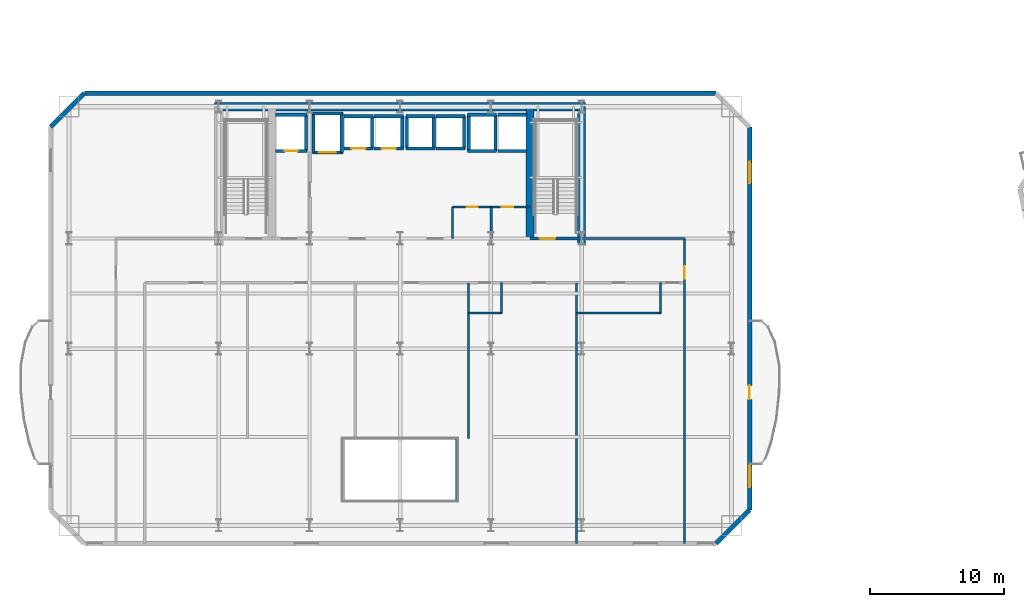
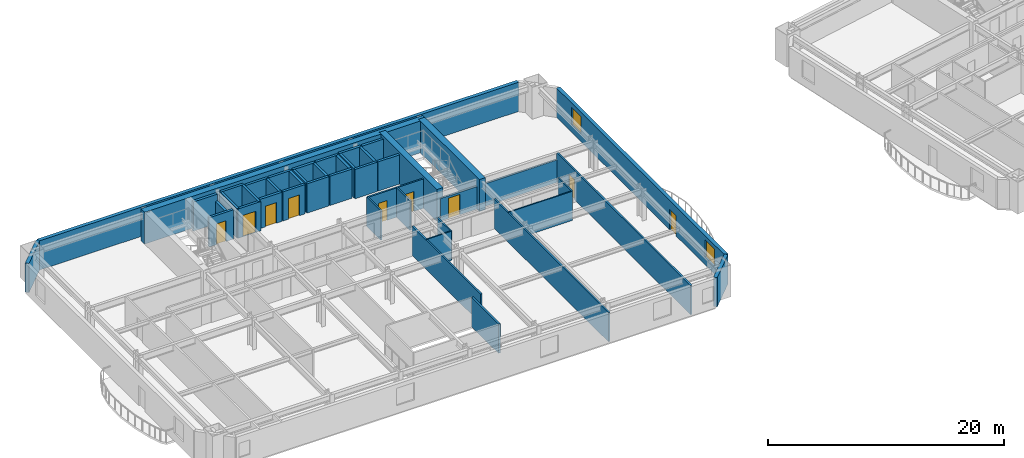
# One storey, part 6 of 16: 46 walls, 9 doors, 2 windows, 11 openings.
"""IFC4 building model written with IfcOpenShell, lengths in metres."""

from ifc_helpers import new_model, si_unit, direction, frame, frame_2d, origin, place, context, subcontext, project, spatial, rectangle, extrude, material, layer, layer_set, type_object, element, fill, save


model = new_model("IFC4")

# Units and contexts
model_context = context("Model", 3, precision=1e-05, world=origin(), true_north=direction((0.0, 1.0)))
body_context = subcontext(model_context, "Body", "Model", "MODEL_VIEW")
ifc_project = project(units=[si_unit("LENGTHUNIT", "METRE"), si_unit("AREAUNIT", "SQUARE_METRE"), si_unit("VOLUMEUNIT", "CUBIC_METRE"), si_unit("PLANEANGLEUNIT", "RADIAN"), si_unit("MASSUNIT", "GRAM", prefix="KILO")], contexts=[model_context])

# Site, building, storey
site_placement = place(None, origin())
site = spatial("IfcSite", under=ifc_project, at=site_placement, CompositionType="ELEMENT")
building_placement = place(site_placement, origin())
building = spatial("IfcBuilding", under=site, at=building_placement, Name="Haevon Station Towers", CompositionType="ELEMENT")
storey_placement = place(building_placement, frame((0.0, 0.0, 53.699951171875)))
storey = spatial("IfcBuildingStorey", under=building, at=storey_placement, Name="L13", CompositionType="ELEMENT", Elevation=53.699951171875)

# Walls
ifc_material_1 = material(Name="Gypsum board on steel stud", Category="steel")
ifc_layer_1 = layer(ifc_material_1, 0.179931640625)
ifc_layer_set_1 = layer_set([ifc_layer_1], Name="Gypsum board on steel stud")
wall_type_1 = type_object("IfcWallType", Name="WL-ACU180", PredefinedType="PARTITIONING", material=ifc_layer_set_1)
wall_1_placement = place(storey_placement, frame((51.0, 38.199951171875, 0.0), z_axis=(0.0, 0.0, 1.0), x_axis=(1.0, 0.0, 0.0)))
element("IfcWall", 1, at=wall_1_placement, inside=storey, type_object=wall_type_1, Name="WL-T1PT-L13-03", PredefinedType="PARTITIONING", context=body_context, shape_type="SweptSolid", body=[
    extrude(rectangle(XDim=7.64990234375, YDim=0.179931640625, at=frame_2d((3.824951171875, 0.0))), origin(), (0.0, 0.0, 1.0), 2.330078125),
])
wall_2_placement = place(storey_placement, frame((41.699951171875, 18.699951171875, 0.0), z_axis=(0.0, 0.0, 1.0), x_axis=(0.0, 1.0, 0.0)))
element("IfcWall", 2, at=wall_2_placement, inside=storey, type_object=wall_type_1, Name="WL-T1PT-L13-09", PredefinedType="PARTITIONING", context=body_context, shape_type="SweptSolid", body=[
    extrude(rectangle(XDim=4.60009765625, YDim=0.179931640625, at=frame_2d((2.300048828125, 0.0))), origin(), (0.0, 0.0, 1.0), 3.030029296875),
])

# Wall, opening, door
ifc_layer_2 = layer(ifc_material_1, 0.199951171875)
ifc_layer_set_2 = layer_set([ifc_layer_2], Name="Gypsum board on steel stud")
wall_type_2 = type_object("IfcWallType", Name="WL-COR200", PredefinedType="PARTITIONING", material=ifc_layer_set_2)
wall_3_placement = place(storey_placement, frame((47.14990234375, 38.199951171875, 0.0), z_axis=(0.0, 0.0, 1.0), x_axis=(1.0, 0.0, 0.0)))
wall_3 = element("IfcWall", 3, at=wall_3_placement, inside=storey, type_object=wall_type_2, Name="WL-ST-ST2-L13", PredefinedType="PARTITIONING", context=body_context, shape_type="SweptSolid", body=[
    extrude(rectangle(XDim=3.85009765625, YDim=0.199951171875, at=frame_2d((1.925048828125, 0.0))), origin(), (0.0, 0.0, 1.0), 2.330078125),
])
opening_1_placement = place(wall_3_placement, frame((0.75, 0.0, 0.0)))
opening_1 = element("IfcOpeningElement", 4, at=opening_1_placement, cuts=wall_3, Name="Opening DR-ST-ST2-L13", PredefinedType="OPENING", context=body_context, shape_type="SweptSolid", body=[
    extrude(rectangle(XDim=1.1201171875, YDim=2.10009765625, at=frame_2d((0.56005859375, 1.050048828125))), frame((0.0, 0.10986328125, 0.0), z_axis=(0.0, -1.0, 0.0), x_axis=(1.0, 0.0, 0.0)), (0.0, 0.0, 1.0), 0.219970703125),
])
ifc_material_2 = material(Name="Engineered oak timber", Category="wood")
door_type_1 = type_object("IfcDoorType", Name="DR-ST-1120", OperationType="NOTDEFINED", PredefinedType="DOOR", material=ifc_material_2)
door_1_placement = place(opening_1_placement, origin())
door_1 = element("IfcDoor", 5, at=door_1_placement, inside=storey, type_object=door_type_1, Name="L13 Escape Stair ST2 Fire Door", OperationType="SINGLE_SWING_LEFT", OverallHeight=2.10009765625, OverallWidth=1.1201171875, PredefinedType="DOOR", context=body_context, shape_type="SweptSolid", body=[
    extrude(rectangle(XDim=1.1201171875, YDim=2.10009765625, at=frame_2d((0.56005859375, 1.050048828125))), frame((0.0, 0.02490234375, 0.0), z_axis=(0.0, -1.0, 0.0), x_axis=(1.0, 0.0, 0.0)), (0.0, 0.0, 1.0), 0.050048828125),
])
fill(opening_1, door_1)

# Walls
ifc_material_3 = material(Name="Concrete C60/75", Category="concrete")
ifc_layer_3 = layer(ifc_material_3, 0.60009765625)
ifc_layer_set_3 = layer_set([ifc_layer_3], Name="Concrete C60/75")
wall_type_3 = type_object("IfcWallType", Name="WL-CR600", PredefinedType="SHEAR", material=ifc_layer_set_3)
wall_4_placement = place(storey_placement, frame((23.699951171875, 48.0, 0.0), z_axis=(0.0, 0.0, 1.0), x_axis=(1.0, 0.0, 0.0)))
element("IfcWall", 6, at=wall_4_placement, inside=storey, type_object=wall_type_3, Name="WL-T1CR-L13-N", PredefinedType="SHEAR", context=body_context, shape_type="SweptSolid", body=[
    extrude(rectangle(XDim=27.60009765625, YDim=0.60009765625, at=frame_2d((13.800048828125, 0.0))), origin(), (0.0, 0.0, 1.0), 3.300048828125),
])
wall_5_placement = place(storey_placement, frame((51.0, 37.679931640625, 0.0), z_axis=(0.0, 0.0, 1.0), x_axis=(0.0, 1.0, 0.0)))
element("IfcWall", 7, at=wall_5_placement, inside=storey, type_object=wall_type_3, Name="WL-T1CR-L13-E", PredefinedType="SHEAR", context=body_context, shape_type="SweptSolid", body=[
    extrude(rectangle(XDim=10.320068359375, YDim=0.60009765625, at=frame_2d((5.16015625, 0.0))), origin(), (0.0, 0.0, 1.0), 3.300048828125),
])
wall_6_placement = place(storey_placement, frame((47.14990234375, 38.199951171875, 0.0), z_axis=(0.0, 0.0, 1.0), x_axis=(0.0, 1.0, 0.0)))
element("IfcWall", 8, at=wall_6_placement, inside=storey, type_object=wall_type_3, Name="WL-T1CR-L13-M2", PredefinedType="SHEAR", context=body_context, shape_type="SweptSolid", body=[
    extrude(rectangle(XDim=9.800048828125, YDim=0.60009765625, at=frame_2d((4.89990234375, 0.0))), origin(), (0.0, 0.0, 1.0), 3.300048828125),
])
ifc_material_4 = material(Name="Precast concrete C45/55", Category="concrete")
ifc_layer_4 = layer(ifc_material_4, 0.340087890625)
ifc_layer_set_4 = layer_set([ifc_layer_4], Name="Precast concrete C45/55")
wall_type_4 = type_object("IfcWallType", Name="WL-EXT-PIER340", PredefinedType="SOLIDWALL", material=ifc_layer_set_4)
wall_7_placement = place(storey_placement, frame((11.5, 46.5, 0.0), z_axis=(0.0, 0.0, 1.0), x_axis=(0.707106781187, 0.707106781187, 0.0)))
element("IfcWall", 9, at=wall_7_placement, inside=storey, type_object=wall_type_4, Name="WL-T1-L13-NWC", PredefinedType="SOLIDWALL", context=body_context, shape_type="SweptSolid", body=[
    extrude(rectangle(XDim=3.53564453125, YDim=0.340087890625, at=frame_2d((1.767822265625, 0.0))), origin(), (0.0, 0.0, 1.0), 3.030029296875),
])
wall_8_placement = place(storey_placement, frame((14.0, 49.0, 0.0), z_axis=(0.0, 0.0, 1.0), x_axis=(1.0, 0.0, 0.0)))
element("IfcWall", 10, at=wall_8_placement, inside=storey, type_object=wall_type_4, Name="WL-T1-L13-N", PredefinedType="SOLIDWALL", context=body_context, shape_type="SweptSolid", body=[
    extrude(rectangle(XDim=47.0, YDim=0.340087890625, at=frame_2d((23.5, 0.0))), origin(), (0.0, 0.0, 1.0), 3.030029296875),
])

# Wall, openings, door, windows
wall_9_placement = place(storey_placement, frame((63.5, 46.5, 0.0), z_axis=(0.0, 0.0, 1.0), x_axis=(0.0, -1.0, 0.0)))
wall_9 = element("IfcWall", 11, at=wall_9_placement, inside=storey, type_object=wall_type_4, Name="WL-T1-L13-E", PredefinedType="SOLIDWALL", context=body_context, shape_type="SweptSolid", body=[
    extrude(rectangle(XDim=28.5, YDim=0.340087890625, at=frame_2d((14.25, 0.0))), origin(), (0.0, 0.0, 1.0), 3.030029296875),
])
opening_2_placement = place(wall_9_placement, frame((19.22509765625, 0.0, 0.0)))
opening_2 = element("IfcOpeningElement", 12, at=opening_2_placement, cuts=wall_9, Name="Opening DR-T1-SCAL-L13-E", PredefinedType="OPENING", context=body_context, shape_type="SweptSolid", body=[
    extrude(rectangle(XDim=1.050048828125, YDim=2.10009765625, at=frame_2d((0.52490234375, 1.050048828125))), frame((0.0, 0.179931640625, 0.0), z_axis=(0.0, -1.0, 0.0), x_axis=(1.0, 0.0, 0.0)), (0.0, 0.0, 1.0), 0.360107421875),
])
opening_3_placement = place(wall_9_placement, frame((2.607177734375, 0.0, 0.800048828125)))
opening_3 = element("IfcOpeningElement", 13, at=opening_3_placement, cuts=wall_9, Name="Opening WN-END160", PredefinedType="OPENING", context=body_context, shape_type="SweptSolid", body=[
    extrude(rectangle(XDim=1.60009765625, YDim=1.800048828125, at=frame_2d((0.800048828125, 0.89990234375))), frame((0.0, 0.179931640625, 0.0), z_axis=(0.0, -1.0, 0.0), x_axis=(1.0, 0.0, 0.0)), (0.0, 0.0, 1.0), 0.360107421875),
])
opening_4_placement = place(wall_9_placement, frame((25.1962890625, 0.0, 0.800048828125)))
opening_4 = element("IfcOpeningElement", 14, at=opening_4_placement, cuts=wall_9, Name="Opening WN-END160", PredefinedType="OPENING", context=body_context, shape_type="SweptSolid", body=[
    extrude(rectangle(XDim=1.60009765625, YDim=1.800048828125, at=frame_2d((0.800048828125, 0.89990234375))), frame((0.0, 0.179931640625, 0.0), z_axis=(0.0, -1.0, 0.0), x_axis=(1.0, 0.0, 0.0)), (0.0, 0.0, 1.0), 0.360107421875),
])
ifc_material_5 = material(Name="Thermally broken anodised aluminium and laminated safety glass", Category="aluminium")
door_type_2 = type_object("IfcDoorType", Name="DR-BALC-1050", OperationType="NOTDEFINED", PredefinedType="DOOR", material=ifc_material_5)
door_2_placement = place(opening_2_placement, origin())
door_2 = element("IfcDoor", 15, at=door_2_placement, inside=storey, type_object=door_type_2, Name="Tower 1 L13 East Scalloped Balcony Door", OperationType="SINGLE_SWING_LEFT", OverallHeight=2.10009765625, OverallWidth=1.050048828125, PredefinedType="DOOR", context=body_context, shape_type="SweptSolid", body=[
    extrude(rectangle(XDim=1.050048828125, YDim=2.10009765625, at=frame_2d((0.52490234375, 1.050048828125))), frame((0.0, 0.02490234375, 0.0), z_axis=(0.0, -1.0, 0.0), x_axis=(1.0, 0.0, 0.0)), (0.0, 0.0, 1.0), 0.050048828125),
])
fill(opening_2, door_2)
ifc_material_6 = material(Name="Low-E triple glazing in thermally broken aluminium", Category="aluminium")
window_type = type_object("IfcWindowType", Name="WN-END160", PartitioningType="SINGLE_PANEL", PredefinedType="WINDOW", material=ifc_material_6)
window_1_placement = place(opening_3_placement, origin())
window_1 = element("IfcWindow", 16, at=window_1_placement, inside=storey, type_object=window_type, Name="WN-T1-L13-E01", OverallHeight=1.800048828125, OverallWidth=1.60009765625, PartitioningType="SINGLE_PANEL", PredefinedType="WINDOW", context=body_context, shape_type="SweptSolid", body=[
    extrude(rectangle(XDim=1.60009765625, YDim=1.800048828125, at=frame_2d((0.800048828125, 0.89990234375))), frame((0.0, 0.030029296875, 0.0), z_axis=(0.0, -1.0, 0.0), x_axis=(1.0, 0.0, 0.0)), (0.0, 0.0, 1.0), 0.06005859375),
])
fill(opening_3, window_1)
window_2_placement = place(opening_4_placement, origin())
window_2 = element("IfcWindow", 17, at=window_2_placement, inside=storey, type_object=window_type, Name="WN-T1-L13-E02", OverallHeight=1.800048828125, OverallWidth=1.60009765625, PartitioningType="SINGLE_PANEL", PredefinedType="WINDOW", context=body_context, shape_type="SweptSolid", body=[
    extrude(rectangle(XDim=1.60009765625, YDim=1.800048828125, at=frame_2d((0.800048828125, 0.89990234375))), frame((0.0, 0.030029296875, 0.0), z_axis=(0.0, -1.0, 0.0), x_axis=(1.0, 0.0, 0.0)), (0.0, 0.0, 1.0), 0.06005859375),
])
fill(opening_4, window_2)

# Walls
wall_10_placement = place(storey_placement, frame((63.5, 18.0, 0.0), z_axis=(0.0, 0.0, 1.0), x_axis=(-0.707106781187, -0.707106781187, 0.0)))
element("IfcWall", 18, at=wall_10_placement, inside=storey, type_object=wall_type_4, Name="WL-T1-L13-SEC", PredefinedType="SOLIDWALL", context=body_context, shape_type="SweptSolid", body=[
    extrude(rectangle(XDim=3.53564453125, YDim=0.340087890625, at=frame_2d((1.767822265625, 0.0))), origin(), (0.0, 0.0, 1.0), 3.030029296875),
])
ifc_layer_5 = layer(ifc_material_1, 0.125)
ifc_layer_set_5 = layer_set([ifc_layer_5], Name="Gypsum board on steel stud")
wall_type_5 = type_object("IfcWallType", Name="WL-PRT125", PredefinedType="PARTITIONING", material=ifc_layer_set_5)
wall_11_placement = place(storey_placement, frame((42.590087890625, 32.64990234375, 0.0), z_axis=(0.0, 0.0, 1.0), x_axis=(1.0, 0.0, 0.0)))
element("IfcWall", 19, at=wall_11_placement, inside=storey, type_object=wall_type_5, Name="WL-T1PT-L13-15", PredefinedType="PARTITIONING", context=body_context, shape_type="SweptSolid", body=[
    extrude(rectangle(XDim=2.449951171875, YDim=0.125, at=frame_2d((1.22509765625, 0.0))), origin(), (0.0, 0.0, 1.0), 3.030029296875),
])
wall_12_placement = place(storey_placement, frame((45.0400390625, 32.64990234375, 0.0), z_axis=(0.0, 0.0, 1.0), x_axis=(0.0, 1.0, 0.0)))
element("IfcWall", 20, at=wall_12_placement, inside=storey, type_object=wall_type_5, Name="WL-T1PT-L13-16", PredefinedType="PARTITIONING", context=body_context, shape_type="SweptSolid", body=[
    extrude(rectangle(XDim=2.25, YDim=0.125, at=frame_2d((1.125, 0.0))), origin(), (0.0, 0.0, 1.0), 3.030029296875),
])
wall_13_placement = place(storey_placement, frame((50.6201171875, 32.64990234375, 0.0), z_axis=(0.0, 0.0, 1.0), x_axis=(1.0, 0.0, 0.0)))
element("IfcWall", 21, at=wall_13_placement, inside=storey, type_object=wall_type_5, Name="WL-T1PT-L13-18", PredefinedType="PARTITIONING", context=body_context, shape_type="SweptSolid", body=[
    extrude(rectangle(XDim=6.25, YDim=0.125, at=frame_2d((3.125, 0.0))), origin(), (0.0, 0.0, 1.0), 3.030029296875),
])
wall_14_placement = place(storey_placement, frame((56.8701171875, 32.64990234375, 0.0), z_axis=(0.0, 0.0, 1.0), x_axis=(0.0, 1.0, 0.0)))
element("IfcWall", 22, at=wall_14_placement, inside=storey, type_object=wall_type_5, Name="WL-T1PT-L13-19", PredefinedType="PARTITIONING", context=body_context, shape_type="SweptSolid", body=[
    extrude(rectangle(XDim=2.25, YDim=0.125, at=frame_2d((1.125, 0.0))), origin(), (0.0, 0.0, 1.0), 3.030029296875),
])
ifc_layer_6 = layer(ifc_material_1, 0.159912109375)
ifc_layer_set_6 = layer_set([ifc_layer_6], Name="Gypsum board on steel stud")
wall_type_6 = type_object("IfcWallType", Name="WL-PRT160", PredefinedType="PARTITIONING", material=ifc_layer_set_6)
for number, where, z_axis, x_axis, name in (
    (23, (41.39990234375, 38.199951171875, 0.0), (0.0, 0.0, 1.0), (0.0, 1.0, 0.0), "WL-T1CW-L13-01"),
    (24, (44.280029296875, 38.199951171875, 0.0), (0.0, 0.0, 1.0), (0.0, 1.0, 0.0), "WL-T1CW-L13-02"),
):
    element("IfcWall", number, at=place(storey_placement, frame(where, z_axis=z_axis, x_axis=x_axis)), inside=storey, type_object=wall_type_6, Name=name, PredefinedType="PARTITIONING", context=body_context, shape_type="SweptSolid", body=[
        extrude(rectangle(XDim=2.35009765625, YDim=0.159912109375, at=frame_2d((1.175048828125, 0.0))), origin(), (0.0, 0.0, 1.0), 3.030029296875),
    ])

# Wall, openings, doors
wall_15_placement = place(storey_placement, frame((41.39990234375, 40.550048828125, 0.0), z_axis=(0.0, 0.0, 1.0), x_axis=(1.0, 0.0, 0.0)))
wall_15 = element("IfcWall", 25, at=wall_15_placement, inside=storey, type_object=wall_type_6, Name="WL-T1CW-L13-03", PredefinedType="PARTITIONING", context=body_context, shape_type="SweptSolid", body=[
    extrude(rectangle(XDim=5.75, YDim=0.159912109375, at=frame_2d((2.875, 0.0))), origin(), (0.0, 0.0, 1.0), 3.030029296875),
])
opening_5_placement = place(wall_15_placement, frame((1.034912109375, 0.0, 0.0)))
opening_5 = element("IfcOpeningElement", 26, at=opening_5_placement, cuts=wall_15, Name="Opening DR-WL-T1CW-L13-03-1", PredefinedType="OPENING", context=body_context, shape_type="SweptSolid", body=[
    extrude(rectangle(XDim=0.85009765625, YDim=2.050048828125, at=frame_2d((0.425048828125, 1.02490234375))), frame((0.0, 0.08984375, 0.0), z_axis=(0.0, -1.0, 0.0), x_axis=(1.0, 0.0, 0.0)), (0.0, 0.0, 1.0), 0.179931640625),
])
opening_6_placement = place(wall_15_placement, frame((3.655029296875, 0.0, 0.0)))
opening_6 = element("IfcOpeningElement", 27, at=opening_6_placement, cuts=wall_15, Name="Opening DR-WL-T1CW-L13-03-2", PredefinedType="OPENING", context=body_context, shape_type="SweptSolid", body=[
    extrude(rectangle(XDim=0.85009765625, YDim=2.050048828125, at=frame_2d((0.425048828125, 1.02490234375))), frame((0.0, 0.08984375, 0.0), z_axis=(0.0, -1.0, 0.0), x_axis=(1.0, 0.0, 0.0)), (0.0, 0.0, 1.0), 0.179931640625),
])
door_type_3 = type_object("IfcDoorType", Name="DR-FD30-850", OperationType="NOTDEFINED", PredefinedType="DOOR", material=ifc_material_2)
door_3_placement = place(opening_5_placement, origin())
door_3 = element("IfcDoor", 28, at=door_3_placement, inside=storey, type_object=door_type_3, Name="L13 Tower 1 Core Room Door 3-1", OperationType="SINGLE_SWING_RIGHT", OverallHeight=2.050048828125, OverallWidth=0.85009765625, PredefinedType="DOOR", context=body_context, shape_type="SweptSolid", body=[
    extrude(rectangle(XDim=0.85009765625, YDim=2.050048828125, at=frame_2d((0.425048828125, 1.02490234375))), frame((0.0, 0.02490234375, 0.0), z_axis=(0.0, -1.0, 0.0), x_axis=(1.0, 0.0, 0.0)), (0.0, 0.0, 1.0), 0.050048828125),
])
fill(opening_5, door_3)
door_4_placement = place(opening_6_placement, origin())
door_4 = element("IfcDoor", 29, at=door_4_placement, inside=storey, type_object=door_type_3, Name="L13 Tower 1 Core Room Door 3-2", OperationType="SINGLE_SWING_LEFT", OverallHeight=2.050048828125, OverallWidth=0.85009765625, PredefinedType="DOOR", context=body_context, shape_type="SweptSolid", body=[
    extrude(rectangle(XDim=0.85009765625, YDim=2.050048828125, at=frame_2d((0.425048828125, 1.02490234375))), frame((0.0, 0.02490234375, 0.0), z_axis=(0.0, -1.0, 0.0), x_axis=(1.0, 0.0, 0.0)), (0.0, 0.0, 1.0), 0.050048828125),
])
fill(opening_6, door_4)

# Wall, opening, door
wall_16_placement = place(storey_placement, frame((58.64990234375, 15.5, 0.0), z_axis=(0.0, 0.0, 1.0), x_axis=(0.0, 1.0, 0.0)))
wall_16 = element("IfcWall", 30, at=wall_16_placement, inside=storey, type_object=wall_type_6, Name="WL-T1PT-L13-05", PredefinedType="PARTITIONING", context=body_context, shape_type="SweptSolid", body=[
    extrude(rectangle(XDim=22.699951171875, YDim=0.159912109375, at=frame_2d((11.35009765625, 0.0))), origin(), (0.0, 0.0, 1.0), 3.030029296875),
])
opening_7_placement = place(wall_16_placement, frame((19.719970703125, 0.0, 0.0)))
opening_7 = element("IfcOpeningElement", 31, at=opening_7_placement, cuts=wall_16, Name="Opening DR-WL-T1PT-L13-05-01", PredefinedType="OPENING", context=body_context, shape_type="SweptSolid", body=[
    extrude(rectangle(XDim=0.89990234375, YDim=2.050048828125, at=frame_2d((0.449951171875, 1.02490234375))), frame((0.0, 0.08984375, 0.0), z_axis=(0.0, -1.0, 0.0), x_axis=(1.0, 0.0, 0.0)), (0.0, 0.0, 1.0), 0.179931640625),
])
door_type_4 = type_object("IfcDoorType", Name="DR-INT-900", OperationType="NOTDEFINED", PredefinedType="DOOR", material=ifc_material_2)
door_5_placement = place(opening_7_placement, origin())
door_5 = element("IfcDoor", 32, at=door_5_placement, inside=storey, type_object=door_type_4, Name="L13 Tower 1 Room Door 5-1", OperationType="SINGLE_SWING_LEFT", OverallHeight=2.050048828125, OverallWidth=0.89990234375, PredefinedType="DOOR", context=body_context, shape_type="SweptSolid", body=[
    extrude(rectangle(XDim=0.89990234375, YDim=2.050048828125, at=frame_2d((0.449951171875, 1.02490234375))), frame((0.0, 0.02490234375, 0.0), z_axis=(0.0, -1.0, 0.0), x_axis=(1.0, 0.0, 0.0)), (0.0, 0.0, 1.0), 0.050048828125),
])
fill(opening_7, door_5)

# Walls
wall_17_placement = place(storey_placement, frame((42.590087890625, 23.300048828125, 0.0), z_axis=(0.0, 0.0, 1.0), x_axis=(0.0, 1.0, 0.0)))
element("IfcWall", 33, at=wall_17_placement, inside=storey, type_object=wall_type_6, Name="WL-T1PT-L13-13", PredefinedType="PARTITIONING", context=body_context, shape_type="SweptSolid", body=[
    extrude(rectangle(XDim=11.599853515625, YDim=0.159912109375, at=frame_2d((5.7998046875, 0.0))), origin(), (0.0, 0.0, 1.0), 3.030029296875),
])
wall_18_placement = place(storey_placement, frame((50.6201171875, 15.5, 0.0), z_axis=(0.0, 0.0, 1.0), x_axis=(0.0, 1.0, 0.0)))
element("IfcWall", 34, at=wall_18_placement, inside=storey, type_object=wall_type_6, Name="WL-T1PT-L13-17", PredefinedType="PARTITIONING", context=body_context, shape_type="SweptSolid", body=[
    extrude(rectangle(XDim=19.39990234375, YDim=0.159912109375, at=frame_2d((9.699951171875, 0.0))), origin(), (0.0, 0.0, 1.0), 3.030029296875),
])

# Wall, opening, door
ifc_material_7 = material(Name="Concrete C40/50", Category="concrete")
ifc_layer_7 = layer(ifc_material_7, 0.239990234375)
ifc_layer_set_7 = layer_set([ifc_layer_7], Name="Concrete C40/50")
wall_type_7 = type_object("IfcWallType", Name="WL-SHF240", PredefinedType="PARTITIONING", material=ifc_layer_set_7)
wall_19_placement = place(storey_placement, frame((28.219970703125, 44.699951171875, 0.0), z_axis=(0.0, 0.0, 1.0), x_axis=(1.0, 0.0, 0.0)))
wall_19 = element("IfcWall", 35, at=wall_19_placement, inside=storey, type_object=wall_type_7, Name="WL-SHF-FL1-L13", PredefinedType="PARTITIONING", context=body_context, shape_type="SweptSolid", body=[
    extrude(rectangle(XDim=2.360107421875, YDim=0.239990234375, at=frame_2d((1.18017578125, 0.0))), origin(), (0.0, 0.0, 1.0), 3.030029296875),
])
opening_8_placement = place(wall_19_placement, frame((0.705078125, 0.0, 0.0)))
opening_8 = element("IfcOpeningElement", 36, at=opening_8_placement, cuts=wall_19, Name="Opening LD-FL1-L13", PredefinedType="OPENING", context=body_context, shape_type="SweptSolid", body=[
    extrude(rectangle(XDim=0.949951171875, YDim=2.14990234375, at=frame_2d((0.47509765625, 1.074951171875))), frame((0.0, 0.1298828125, 0.0), z_axis=(0.0, -1.0, 0.0), x_axis=(1.0, 0.0, 0.0)), (0.0, 0.0, 1.0), 0.260009765625),
])
ifc_material_8 = material(Name="Stainless steel and rated core", Category="steel")
door_type_5 = type_object("IfcDoorType", Name="LD-FL950", OperationType="SLIDING_TO_LEFT", PredefinedType="DOOR", material=ifc_material_8)
door_6_placement = place(opening_8_placement, origin())
door_6 = element("IfcDoor", 37, at=door_6_placement, inside=storey, type_object=door_type_5, Name="L13 Lift FL1 Sliding Landing Door", OperationType="SLIDING_TO_LEFT", OverallHeight=2.14990234375, OverallWidth=0.949951171875, PredefinedType="DOOR", context=body_context, shape_type="SweptSolid", body=[
    extrude(rectangle(XDim=0.949951171875, YDim=2.14990234375, at=frame_2d((0.47509765625, 1.074951171875))), frame((0.0, 0.02490234375, 0.0), z_axis=(0.0, -1.0, 0.0), x_axis=(1.0, 0.0, 0.0)), (0.0, 0.0, 1.0), 0.050048828125),
])
fill(opening_8, door_6)

# Walls
wall_20_placement = place(storey_placement, frame((28.219970703125, 47.39990234375, 0.0), z_axis=(0.0, 0.0, 1.0), x_axis=(1.0, 0.0, 0.0)))
element("IfcWall", 38, at=wall_20_placement, inside=storey, type_object=wall_type_7, Name="WL-SHF-FL1-L13-N", PredefinedType="PARTITIONING", context=body_context, shape_type="SweptSolid", body=[
    extrude(rectangle(XDim=2.360107421875, YDim=0.239990234375, at=frame_2d((1.18017578125, 0.0))), origin(), (0.0, 0.0, 1.0), 3.030029296875),
])
wall_21_placement = place(storey_placement, frame((30.5, 44.699951171875, 0.0), z_axis=(0.0, 0.0, 1.0), x_axis=(0.0, 1.0, 0.0)))
element("IfcWall", 39, at=wall_21_placement, inside=storey, type_object=wall_type_7, Name="WL-SHF-FL1-L13-E", PredefinedType="PARTITIONING", context=body_context, shape_type="SweptSolid", body=[
    extrude(rectangle(XDim=2.699951171875, YDim=0.239990234375, at=frame_2d((1.35009765625, 0.0))), origin(), (0.0, 0.0, 1.0), 2.330078125),
])

# Wall, opening, door
wall_22_placement = place(storey_placement, frame((30.969970703125, 44.60009765625, 0.0), z_axis=(0.0, 0.0, 1.0), x_axis=(1.0, 0.0, 0.0)))
wall_22 = element("IfcWall", 40, at=wall_22_placement, inside=storey, type_object=wall_type_7, Name="WL-SHF-SL1-L13", PredefinedType="PARTITIONING", context=body_context, shape_type="SweptSolid", body=[
    extrude(rectangle(XDim=2.260009765625, YDim=0.239990234375, at=frame_2d((1.1298828125, 0.0))), origin(), (0.0, 0.0, 1.0), 3.030029296875),
])
opening_9_placement = place(wall_22_placement, frame((0.5048828125, 0.0, 0.0)))
opening_9 = element("IfcOpeningElement", 41, at=opening_9_placement, cuts=wall_22, Name="Opening LD-SL1-L13", PredefinedType="OPENING", context=body_context, shape_type="SweptSolid", body=[
    extrude(rectangle(XDim=1.25, YDim=2.199951171875, at=frame_2d((0.625, 1.10009765625))), frame((0.0, 0.1298828125, 0.0), z_axis=(0.0, -1.0, 0.0), x_axis=(1.0, 0.0, 0.0)), (0.0, 0.0, 1.0), 0.260009765625),
])
door_type_6 = type_object("IfcDoorType", Name="LD-SL1250", OperationType="SLIDING_TO_LEFT", PredefinedType="DOOR", material=ifc_material_8)
door_7_placement = place(opening_9_placement, origin())
door_7 = element("IfcDoor", 42, at=door_7_placement, inside=storey, type_object=door_type_6, Name="L13 Lift SL1 Sliding Landing Door", OperationType="SLIDING_TO_LEFT", OverallHeight=2.199951171875, OverallWidth=1.25, PredefinedType="DOOR", context=body_context, shape_type="SweptSolid", body=[
    extrude(rectangle(XDim=1.25, YDim=2.199951171875, at=frame_2d((0.625, 1.10009765625))), frame((0.0, 0.02490234375, 0.0), z_axis=(0.0, -1.0, 0.0), x_axis=(1.0, 0.0, 0.0)), (0.0, 0.0, 1.0), 0.050048828125),
])
fill(opening_9, door_7)

# Walls
wall_23_placement = place(storey_placement, frame((30.969970703125, 47.5, 0.0), z_axis=(0.0, 0.0, 1.0), x_axis=(1.0, 0.0, 0.0)))
element("IfcWall", 43, at=wall_23_placement, inside=storey, type_object=wall_type_7, Name="WL-SHF-SL1-L13-N", PredefinedType="PARTITIONING", context=body_context, shape_type="SweptSolid", body=[
    extrude(rectangle(XDim=2.260009765625, YDim=0.239990234375, at=frame_2d((1.1298828125, 0.0))), origin(), (0.0, 0.0, 1.0), 3.030029296875),
])
for number, where, z_axis, x_axis, name in (
    (44, (31.050048828125, 44.60009765625, 0.0), (0.0, 0.0, 1.0), (0.0, 1.0, 0.0), "WL-SHF-SL1-L13-W"),
    (45, (33.14990234375, 44.60009765625, 0.0), (0.0, 0.0, 1.0), (0.0, 1.0, 0.0), "WL-SHF-SL1-L13-E"),
):
    element("IfcWall", number, at=place(storey_placement, frame(where, z_axis=z_axis, x_axis=x_axis)), inside=storey, type_object=wall_type_7, Name=name, PredefinedType="PARTITIONING", context=body_context, shape_type="SweptSolid", body=[
        extrude(rectangle(XDim=2.89990234375, YDim=0.239990234375, at=frame_2d((1.449951171875, 0.0))), origin(), (0.0, 0.0, 1.0), 3.030029296875),
    ])

# Wall, opening, door
wall_24_placement = place(storey_placement, frame((33.320068359375, 44.89990234375, 0.0), z_axis=(0.0, 0.0, 1.0), x_axis=(1.0, 0.0, 0.0)))
wall_24 = element("IfcWall", 46, at=wall_24_placement, inside=storey, type_object=wall_type_7, Name="WL-SHF-PL1-L13", PredefinedType="PARTITIONING", context=body_context, shape_type="SweptSolid", body=[
    extrude(rectangle(XDim=2.159912109375, YDim=0.239990234375, at=frame_2d((1.080078125, 0.0))), origin(), (0.0, 0.0, 1.0), 3.030029296875),
])
opening_10_placement = place(wall_24_placement, frame((0.554931640625, 0.0, 0.0)))
opening_10 = element("IfcOpeningElement", 47, at=opening_10_placement, cuts=wall_24, Name="Opening LD-PL1-L13", PredefinedType="OPENING", context=body_context, shape_type="SweptSolid", body=[
    extrude(rectangle(XDim=1.050048828125, YDim=2.14990234375, at=frame_2d((0.52490234375, 1.074951171875))), frame((0.0, 0.1298828125, 0.0), z_axis=(0.0, -1.0, 0.0), x_axis=(1.0, 0.0, 0.0)), (0.0, 0.0, 1.0), 0.260009765625),
])
door_type_7 = type_object("IfcDoorType", Name="LD-PL1050", OperationType="SLIDING_TO_LEFT", PredefinedType="DOOR", material=ifc_material_8)
door_8_placement = place(opening_10_placement, origin())
door_8 = element("IfcDoor", 48, at=door_8_placement, inside=storey, type_object=door_type_7, Name="L13 Lift PL1 Sliding Landing Door", OperationType="SLIDING_TO_LEFT", OverallHeight=2.14990234375, OverallWidth=1.050048828125, PredefinedType="DOOR", context=body_context, shape_type="SweptSolid", body=[
    extrude(rectangle(XDim=1.050048828125, YDim=2.14990234375, at=frame_2d((0.52490234375, 1.074951171875))), frame((0.0, 0.02490234375, 0.0), z_axis=(0.0, -1.0, 0.0), x_axis=(1.0, 0.0, 0.0)), (0.0, 0.0, 1.0), 0.050048828125),
])
fill(opening_10, door_8)

# Walls
wall_25_placement = place(storey_placement, frame((33.320068359375, 47.300048828125, 0.0), z_axis=(0.0, 0.0, 1.0), x_axis=(1.0, 0.0, 0.0)))
element("IfcWall", 49, at=wall_25_placement, inside=storey, type_object=wall_type_7, Name="WL-SHF-PL1-L13-N", PredefinedType="PARTITIONING", context=body_context, shape_type="SweptSolid", body=[
    extrude(rectangle(XDim=2.159912109375, YDim=0.239990234375, at=frame_2d((1.080078125, 0.0))), origin(), (0.0, 0.0, 1.0), 3.030029296875),
])
wall_26_placement = place(storey_placement, frame((35.39990234375, 44.89990234375, 0.0), z_axis=(0.0, 0.0, 1.0), x_axis=(0.0, 1.0, 0.0)))
element("IfcWall", 50, at=wall_26_placement, inside=storey, type_object=wall_type_7, Name="WL-SHF-PL1-L13-E", PredefinedType="PARTITIONING", context=body_context, shape_type="SweptSolid", body=[
    extrude(rectangle(XDim=2.400146484375, YDim=0.239990234375, at=frame_2d((1.2001953125, 0.0))), origin(), (0.0, 0.0, 1.0), 3.030029296875),
])

# Wall, opening, door
wall_27_placement = place(storey_placement, frame((35.570068359375, 44.89990234375, 0.0), z_axis=(0.0, 0.0, 1.0), x_axis=(1.0, 0.0, 0.0)))
wall_27 = element("IfcWall", 51, at=wall_27_placement, inside=storey, type_object=wall_type_7, Name="WL-SHF-PL2-L13", PredefinedType="PARTITIONING", context=body_context, shape_type="SweptSolid", body=[
    extrude(rectangle(XDim=2.159912109375, YDim=0.239990234375, at=frame_2d((1.080078125, 0.0))), origin(), (0.0, 0.0, 1.0), 3.030029296875),
])
opening_11_placement = place(wall_27_placement, frame((0.554931640625, 0.0, 0.0)))
opening_11 = element("IfcOpeningElement", 52, at=opening_11_placement, cuts=wall_27, Name="Opening LD-PL2-L13", PredefinedType="OPENING", context=body_context, shape_type="SweptSolid", body=[
    extrude(rectangle(XDim=1.050048828125, YDim=2.14990234375, at=frame_2d((0.52490234375, 1.074951171875))), frame((0.0, 0.1298828125, 0.0), z_axis=(0.0, -1.0, 0.0), x_axis=(1.0, 0.0, 0.0)), (0.0, 0.0, 1.0), 0.260009765625),
])
door_9_placement = place(opening_11_placement, origin())
door_9 = element("IfcDoor", 53, at=door_9_placement, inside=storey, type_object=door_type_7, Name="L13 Lift PL2 Sliding Landing Door", OperationType="SLIDING_TO_LEFT", OverallHeight=2.14990234375, OverallWidth=1.050048828125, PredefinedType="DOOR", context=body_context, shape_type="SweptSolid", body=[
    extrude(rectangle(XDim=1.050048828125, YDim=2.14990234375, at=frame_2d((0.52490234375, 1.074951171875))), frame((0.0, 0.02490234375, 0.0), z_axis=(0.0, -1.0, 0.0), x_axis=(1.0, 0.0, 0.0)), (0.0, 0.0, 1.0), 0.050048828125),
])
fill(opening_11, door_9)

# Walls
wall_28_placement = place(storey_placement, frame((35.570068359375, 47.300048828125, 0.0), z_axis=(0.0, 0.0, 1.0), x_axis=(1.0, 0.0, 0.0)))
element("IfcWall", 54, at=wall_28_placement, inside=storey, type_object=wall_type_7, Name="WL-SHF-PL2-L13-N", PredefinedType="PARTITIONING", context=body_context, shape_type="SweptSolid", body=[
    extrude(rectangle(XDim=2.159912109375, YDim=0.239990234375, at=frame_2d((1.080078125, 0.0))), origin(), (0.0, 0.0, 1.0), 3.030029296875),
])
wall_29_placement = place(storey_placement, frame((37.64990234375, 44.89990234375, 0.0), z_axis=(0.0, 0.0, 1.0), x_axis=(0.0, 1.0, 0.0)))
element("IfcWall", 55, at=wall_29_placement, inside=storey, type_object=wall_type_7, Name="WL-SHF-PL2-L13-E", PredefinedType="PARTITIONING", context=body_context, shape_type="SweptSolid", body=[
    extrude(rectangle(XDim=2.400146484375, YDim=0.239990234375, at=frame_2d((1.2001953125, 0.0))), origin(), (0.0, 0.0, 1.0), 3.030029296875),
])
for number, where, z_axis, x_axis, name in (
    (56, (37.919921875, 44.89990234375, 0.0), (0.0, 0.0, 1.0), (1.0, 0.0, 0.0), "WL-SHF-PL3-L13"),
    (57, (37.919921875, 47.300048828125, 0.0), (0.0, 0.0, 1.0), (1.0, 0.0, 0.0), "WL-SHF-PL3-L13-N"),
):
    element("IfcWall", number, at=place(storey_placement, frame(where, z_axis=z_axis, x_axis=x_axis)), inside=storey, type_object=wall_type_7, Name=name, PredefinedType="PARTITIONING", context=body_context, shape_type="SweptSolid", body=[
        extrude(rectangle(XDim=2.16015625, YDim=0.239990234375, at=frame_2d((1.080078125, 0.0))), origin(), (0.0, 0.0, 1.0), 3.030029296875),
    ])
for number, where, z_axis, x_axis, name in (
    (58, (38.0, 44.89990234375, 0.0), (0.0, 0.0, 1.0), (0.0, 1.0, 0.0), "WL-SHF-PL3-L13-W"),
    (59, (40.0, 44.89990234375, 0.0), (0.0, 0.0, 1.0), (0.0, 1.0, 0.0), "WL-SHF-PL3-L13-E"),
):
    element("IfcWall", number, at=place(storey_placement, frame(where, z_axis=z_axis, x_axis=x_axis)), inside=storey, type_object=wall_type_7, Name=name, PredefinedType="PARTITIONING", context=body_context, shape_type="SweptSolid", body=[
        extrude(rectangle(XDim=2.400146484375, YDim=0.239990234375, at=frame_2d((1.2001953125, 0.0))), origin(), (0.0, 0.0, 1.0), 3.030029296875),
    ])
for number, where, z_axis, x_axis, name in (
    (60, (40.169921875, 44.89990234375, 0.0), (0.0, 0.0, 1.0), (1.0, 0.0, 0.0), "WL-SHF-PL4-L13"),
    (61, (40.169921875, 47.300048828125, 0.0), (0.0, 0.0, 1.0), (1.0, 0.0, 0.0), "WL-SHF-PL4-L13-N"),
):
    element("IfcWall", number, at=place(storey_placement, frame(where, z_axis=z_axis, x_axis=x_axis)), inside=storey, type_object=wall_type_7, Name=name, PredefinedType="PARTITIONING", context=body_context, shape_type="SweptSolid", body=[
        extrude(rectangle(XDim=2.16015625, YDim=0.239990234375, at=frame_2d((1.080078125, 0.0))), origin(), (0.0, 0.0, 1.0), 3.030029296875),
    ])
wall_30_placement = place(storey_placement, frame((42.25, 44.89990234375, 0.0), z_axis=(0.0, 0.0, 1.0), x_axis=(0.0, 1.0, 0.0)))
element("IfcWall", 62, at=wall_30_placement, inside=storey, type_object=wall_type_7, Name="WL-SHF-PL4-L13-E", PredefinedType="PARTITIONING", context=body_context, shape_type="SweptSolid", body=[
    extrude(rectangle(XDim=2.400146484375, YDim=0.239990234375, at=frame_2d((1.2001953125, 0.0))), origin(), (0.0, 0.0, 1.0), 3.030029296875),
])
for number, where, z_axis, x_axis, name in (
    (63, (42.52001953125, 44.699951171875, 0.0), (0.0, 0.0, 1.0), (1.0, 0.0, 0.0), "WL-SHF-PL5-L13"),
    (64, (42.52001953125, 47.39990234375, 0.0), (0.0, 0.0, 1.0), (1.0, 0.0, 0.0), "WL-SHF-PL5-L13-N"),
):
    element("IfcWall", number, at=place(storey_placement, frame(where, z_axis=z_axis, x_axis=x_axis)), inside=storey, type_object=wall_type_7, Name=name, PredefinedType="PARTITIONING", context=body_context, shape_type="SweptSolid", body=[
        extrude(rectangle(XDim=2.159912109375, YDim=0.239990234375, at=frame_2d((1.080078125, 0.0))), origin(), (0.0, 0.0, 1.0), 3.030029296875),
    ])
for number, where, z_axis, x_axis, name in (
    (65, (42.60009765625, 44.699951171875, 0.0), (0.0, 0.0, 1.0), (0.0, 1.0, 0.0), "WL-SHF-PL5-L13-W"),
    (66, (44.60009765625, 44.699951171875, 0.0), (0.0, 0.0, 1.0), (0.0, 1.0, 0.0), "WL-SHF-PL5-L13-E"),
):
    element("IfcWall", number, at=place(storey_placement, frame(where, z_axis=z_axis, x_axis=x_axis)), inside=storey, type_object=wall_type_7, Name=name, PredefinedType="PARTITIONING", context=body_context, shape_type="SweptSolid", body=[
        extrude(rectangle(XDim=2.699951171875, YDim=0.239990234375, at=frame_2d((1.35009765625, 0.0))), origin(), (0.0, 0.0, 1.0), 3.030029296875),
    ])
for number, where, z_axis, x_axis, name in (
    (67, (44.77001953125, 44.699951171875, 0.0), (0.0, 0.0, 1.0), (1.0, 0.0, 0.0), "WL-SHF-PL6-L13"),
    (68, (44.77001953125, 47.39990234375, 0.0), (0.0, 0.0, 1.0), (1.0, 0.0, 0.0), "WL-SHF-PL6-L13-N"),
):
    element("IfcWall", number, at=place(storey_placement, frame(where, z_axis=z_axis, x_axis=x_axis)), inside=storey, type_object=wall_type_7, Name=name, PredefinedType="PARTITIONING", context=body_context, shape_type="SweptSolid", body=[
        extrude(rectangle(XDim=2.159912109375, YDim=0.239990234375, at=frame_2d((1.080078125, 0.0))), origin(), (0.0, 0.0, 1.0), 3.030029296875),
    ])

save(model, "model.ifc")
